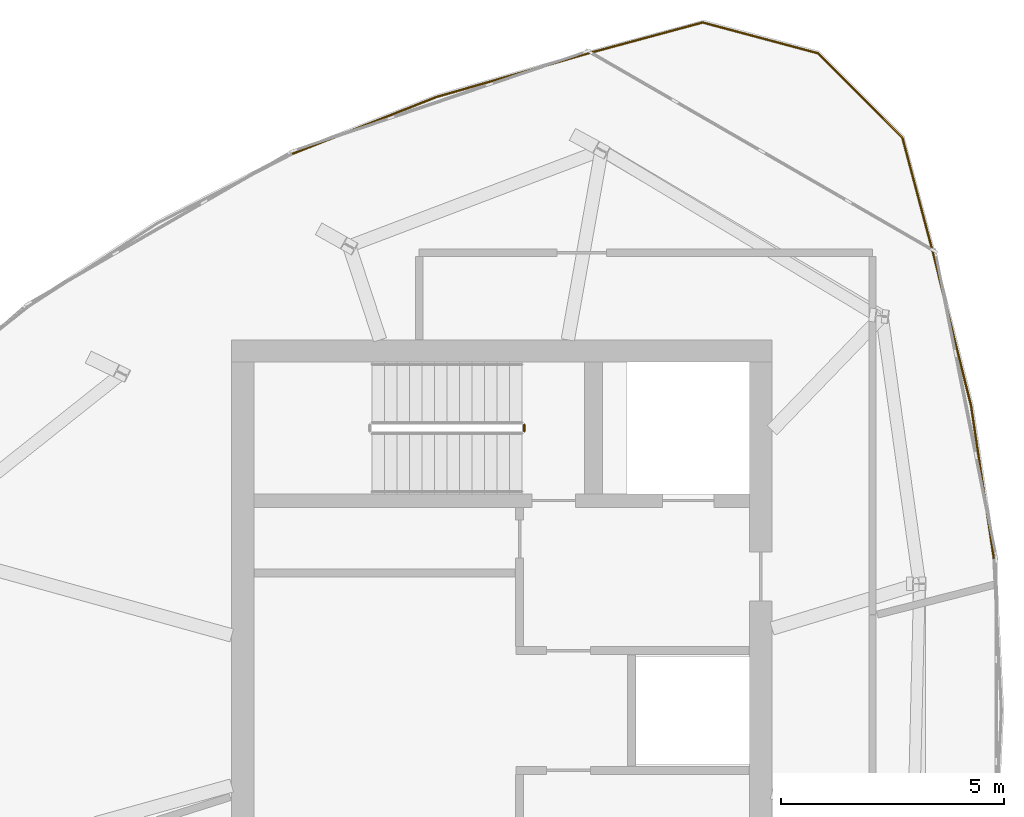
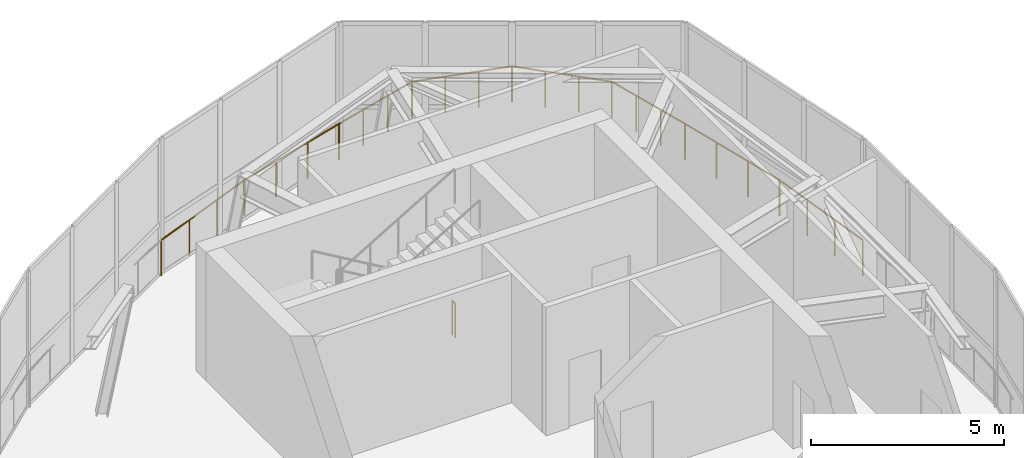
# One storey, part 11 of 11: 4 railings.
"""IFC4 building model written with IfcOpenShell, lengths in metres."""

from ifc_helpers import new_model, si_unit, direction, frame, origin, origin_2d, place, context, subcontext, project, spatial, circle, extrude, source, transform, mapped, material, type_object, element, save


model = new_model("IFC4")

# Units and contexts
model_context = context("Model", 3, precision=1e-05, world=origin(), true_north=direction((0.0, 1.0)))
body_context = subcontext(model_context, "Body", "Model", "MODEL_VIEW")
ifc_project = project(units=[si_unit("LENGTHUNIT", "METRE"), si_unit("AREAUNIT", "SQUARE_METRE"), si_unit("VOLUMEUNIT", "CUBIC_METRE"), si_unit("PLANEANGLEUNIT", "RADIAN"), si_unit("MASSUNIT", "GRAM", prefix="KILO")], contexts=[model_context])

# Site, building, storey
site_placement = place(None, origin())
site = spatial("IfcSite", under=ifc_project, at=site_placement, CompositionType="ELEMENT")
building_placement = place(site_placement, origin())
building = spatial("IfcBuilding", under=site, at=building_placement, Name="Qafzar Sky-Pleat Residences", CompositionType="ELEMENT")
storey_placement = place(building_placement, frame((0.0, 0.0, 257.5)))
storey = spatial("IfcBuildingStorey", under=building, at=storey_placement, Name="L77 Crown", CompositionType="ELEMENT", Elevation=257.5)

# Railings
ifc_material_1 = material(Name="Galvanised and bronze-coated Steel S355 guardrail", Category="steel")
railing_type_1 = type_object("IfcRailingType", Name="RAIL-EXT-1150", PredefinedType="GUARDRAIL", material=ifc_material_1)
shared_shape_1 = source(origin(), body_context, "Body", "SweptSolid", [
    extrude(circle(Radius=0.02392578125, at=origin_2d()), frame((0.0, 0.0, 1.1259765625), z_axis=(-0.147499782122, 0.989062088179, 0.0), x_axis=(-0.989062088179, -0.147499782122, 0.0)), (0.0, 0.0, 1.0), 3.451171875),
    extrude(circle(Radius=0.02392578125, at=origin_2d()), frame((-0.509033203125, 3.413330078125, 1.1259765625), z_axis=(-0.241295149447, 0.970451776676, 0.0), x_axis=(-0.970451776676, -0.241295149447, 0.0)), (0.0, 0.0, 1.0), 3.52001953125),
    extrude(circle(Radius=0.02099609375, at=origin_2d()), origin(), (0.0, 0.0, 1.0), 1.101806640625),
    extrude(circle(Radius=0.02099609375, at=origin_2d()), frame((-0.169677734375, 1.1376953125, 0.0)), (0.0, 0.0, 1.0), 1.101806640625),
    extrude(circle(Radius=0.02099609375, at=origin_2d()), frame((-0.33935546875, 2.275634765625, 0.0)), (0.0, 0.0, 1.0), 1.101806640625),
    extrude(circle(Radius=0.02099609375, at=origin_2d()), frame((-0.509033203125, 3.413330078125, 0.0)), (0.0, 0.0, 1.0), 1.101806640625),
    extrude(circle(Radius=0.02099609375, at=origin_2d()), frame((-0.792236328125, 4.552001953125, 0.0)), (0.0, 0.0, 1.0), 1.101806640625),
    extrude(circle(Radius=0.02099609375, at=origin_2d()), frame((-1.0751953125, 5.690673828125, 0.0)), (0.0, 0.0, 1.0), 1.101806640625),
    extrude(circle(Radius=0.02099609375, at=origin_2d()), frame((-1.3583984375, 6.829345703125, 0.0)), (0.0, 0.0, 1.0), 1.101806640625),
])
railing_1_placement = place(storey_placement, frame((41.365478515625, 29.412109375, 0.0)))
element("IfcRailing", 1, at=railing_1_placement, inside=storey, type_object=railing_type_1, Name="L77 Crown Corner Maintenance Guardrail 8", PredefinedType="GUARDRAIL", context=body_context, shape_type="MappedRepresentation", body=[
    mapped(shared_shape_1, transform((0.0, 0.0, 0.0), x_axis=(1.0, 0.0, 0.0), y_axis=(0.0, 1.0, 0.0), z_axis=(0.0, 0.0, 1.0), scale=1.0)),
])
shared_shape_2 = source(origin(), body_context, "Body", "SweptSolid", [
    extrude(circle(Radius=0.02392578125, at=origin_2d()), frame((0.0, 0.0, 1.1259765625), z_axis=(-0.257304728139, 0.966330314581, 0.0), x_axis=(-0.966330314581, -0.257304728139, 0.0)), (0.0, 0.0, 1.0), 2.6748046875),
    extrude(circle(Radius=0.02392578125, at=origin_2d()), frame((-0.688232421875, 2.584716796875, 1.1259765625), z_axis=(-0.706787019779, 0.70742639806, 0.0), x_axis=(-0.70742639806, -0.706787019779, 0.0)), (0.0, 0.0, 1.0), 2.6728515625),
    extrude(circle(Radius=0.02392578125, at=origin_2d()), frame((-2.577392578125, 4.4755859375, 1.1259765625), z_axis=(-0.966122681765, 0.258083249709, 0.0), x_axis=(-0.258083249709, -0.966122681765, 0.0)), (0.0, 0.0, 1.0), 2.67333984375),
    extrude(circle(Radius=0.02392578125, at=origin_2d()), frame((-5.16015625, 5.16552734375, 1.1259765625), z_axis=(-0.965465816062, -0.260529764164, 0.0), x_axis=(0.260529764164, -0.965465816062, 0.0)), (0.0, 0.0, 1.0), 2.67529296875),
    extrude(circle(Radius=0.02099609375, at=origin_2d()), origin(), (0.0, 0.0, 1.0), 1.101806640625),
    extrude(circle(Radius=0.02099609375, at=origin_2d()), frame((-0.2294921875, 0.861572265625, 0.0)), (0.0, 0.0, 1.0), 1.101806640625),
    extrude(circle(Radius=0.02099609375, at=origin_2d()), frame((-0.458740234375, 1.72314453125, 0.0)), (0.0, 0.0, 1.0), 1.101806640625),
    extrude(circle(Radius=0.02099609375, at=origin_2d()), frame((-0.688232421875, 2.584716796875, 0.0)), (0.0, 0.0, 1.0), 1.101806640625),
    extrude(circle(Radius=0.02099609375, at=origin_2d()), frame((-1.31787109375, 3.215087890625, 0.0)), (0.0, 0.0, 1.0), 1.101806640625),
    extrude(circle(Radius=0.02099609375, at=origin_2d()), frame((-1.94775390625, 3.84521484375, 0.0)), (0.0, 0.0, 1.0), 1.101806640625),
    extrude(circle(Radius=0.02099609375, at=origin_2d()), frame((-2.577392578125, 4.4755859375, 0.0)), (0.0, 0.0, 1.0), 1.101806640625),
    extrude(circle(Radius=0.02099609375, at=origin_2d()), frame((-3.438232421875, 4.70556640625, 0.0)), (0.0, 0.0, 1.0), 1.101806640625),
    extrude(circle(Radius=0.02099609375, at=origin_2d()), frame((-4.29931640625, 4.935546875, 0.0)), (0.0, 0.0, 1.0), 1.101806640625),
    extrude(circle(Radius=0.02099609375, at=origin_2d()), frame((-5.16015625, 5.16552734375, 0.0)), (0.0, 0.0, 1.0), 1.101806640625),
    extrude(circle(Radius=0.02099609375, at=origin_2d()), frame((-6.021240234375, 4.93310546875, 0.0)), (0.0, 0.0, 1.0), 1.101806640625),
    extrude(circle(Radius=0.02099609375, at=origin_2d()), frame((-6.882080078125, 4.700927734375, 0.0)), (0.0, 0.0, 1.0), 1.101806640625),
    extrude(circle(Radius=0.02099609375, at=origin_2d()), frame((-7.7431640625, 4.468505859375, 0.0)), (0.0, 0.0, 1.0), 1.101806640625),
])
railing_2_placement = place(storey_placement, frame((40.007080078125, 36.241455078125, 0.0)))
element("IfcRailing", 2, at=railing_2_placement, inside=storey, type_object=railing_type_1, Name="L77 Crown Corner Maintenance Guardrail 9", PredefinedType="GUARDRAIL", context=body_context, shape_type="MappedRepresentation", body=[
    mapped(shared_shape_2, transform((0.0, 0.0, 0.0), x_axis=(1.0, 0.0, 0.0), y_axis=(0.0, 1.0, 0.0), z_axis=(0.0, 0.0, 1.0), scale=1.0)),
])
shared_shape_3 = source(origin(), body_context, "Body", "SweptSolid", [
    extrude(circle(Radius=0.02392578125, at=origin_2d()), frame((0.0, 0.0, 1.1259765625), z_axis=(-0.960975097448, -0.276634889494, 0.0), x_axis=(0.276634889494, -0.960975097448, 0.0)), (0.0, 0.0, 1.0), 3.5205078125),
    extrude(circle(Radius=0.02392578125, at=origin_2d()), frame((-3.383056640625, -0.973876953125, 1.1259765625), z_axis=(-0.930155221331, -0.367166534736, 0.0), x_axis=(0.367166534736, -0.930155221331, 0.0)), (0.0, 0.0, 1.0), 3.450927734375),
    extrude(circle(Radius=0.02099609375, at=origin_2d()), origin(), (0.0, 0.0, 1.0), 1.101806640625),
    extrude(circle(Radius=0.02099609375, at=origin_2d()), frame((-1.127685546875, -0.32470703125, 0.0)), (0.0, 0.0, 1.0), 1.101806640625),
    extrude(circle(Radius=0.02099609375, at=origin_2d()), frame((-2.25537109375, -0.649169921875, 0.0)), (0.0, 0.0, 1.0), 1.101806640625),
    extrude(circle(Radius=0.02099609375, at=origin_2d()), frame((-3.383056640625, -0.973876953125, 0.0)), (0.0, 0.0, 1.0), 1.101806640625),
    extrude(circle(Radius=0.02099609375, at=origin_2d()), frame((-4.453125, -1.396240234375, 0.0)), (0.0, 0.0, 1.0), 1.101806640625),
    extrude(circle(Radius=0.02099609375, at=origin_2d()), frame((-5.52294921875, -1.818603515625, 0.0)), (0.0, 0.0, 1.0), 1.101806640625),
    extrude(circle(Radius=0.02099609375, at=origin_2d()), frame((-6.593017578125, -2.240966796875, 0.0)), (0.0, 0.0, 1.0), 1.101806640625),
])
railing_3_placement = place(storey_placement, frame((32.263916015625, 40.7099609375, 0.0)))
element("IfcRailing", 3, at=railing_3_placement, inside=storey, type_object=railing_type_1, Name="L77 Crown Corner Maintenance Guardrail 10", PredefinedType="GUARDRAIL", context=body_context, shape_type="MappedRepresentation", body=[
    mapped(shared_shape_3, transform((0.0, 0.0, 0.0), x_axis=(1.0, 0.0, 0.0), y_axis=(0.0, 1.0, 0.0), z_axis=(0.0, 0.0, 1.0), scale=1.0)),
])
ifc_material_2 = material(Name="Painted Steel S355 stair guardrail", Category="steel")
railing_type_2 = type_object("IfcRailingType", Name="RAIL-STAIR-GUARD", PredefinedType="GUARDRAIL", material=ifc_material_2)
shared_shape_4 = source(origin(), body_context, "Body", "SweptSolid", [
    extrude(circle(Radius=0.02392578125, at=origin_2d()), frame((0.0, 0.0, 1.076171875), z_axis=(0.0, -1.0, 0.0), x_axis=(1.0, 0.0, 0.0)), (0.0, 0.0, 1.0), 0.14990234375),
    extrude(circle(Radius=0.02099609375, at=origin_2d()), origin(), (0.0, 0.0, 1.0), 1.052001953125),
    extrude(circle(Radius=0.02099609375, at=origin_2d()), frame((0.0, -0.14990234375, 0.0)), (0.0, 0.0, 1.0), 1.052001953125),
])
railing_4_placement = place(storey_placement, frame((30.85009765625, 32.39990234375, 0.0)))
element("IfcRailing", 4, at=railing_4_placement, inside=storey, type_object=railing_type_2, Name="L77 Crown ST2 stair guard 4", PredefinedType="GUARDRAIL", context=body_context, shape_type="MappedRepresentation", body=[
    mapped(shared_shape_4, transform((0.0, 0.0, 0.0), x_axis=(1.0, 0.0, 0.0), y_axis=(0.0, 1.0, 0.0), z_axis=(0.0, 0.0, 1.0), scale=1.0)),
])

save(model, "model.ifc")
